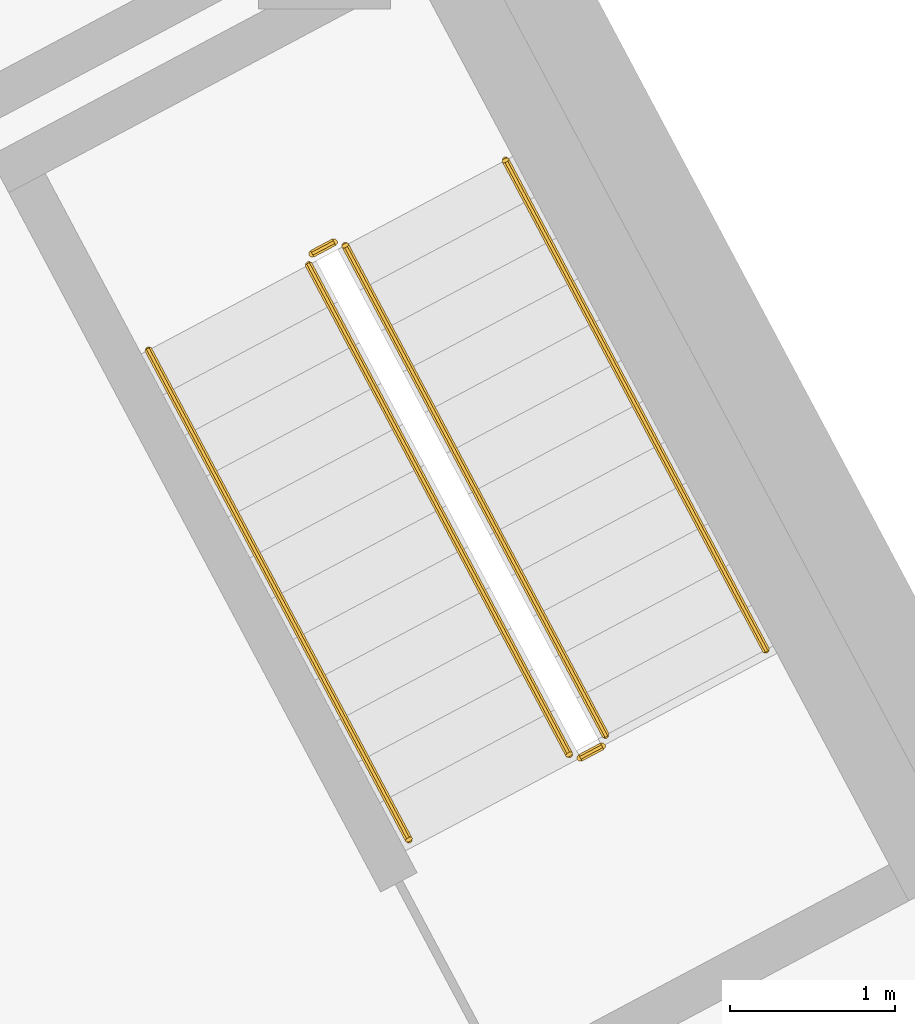
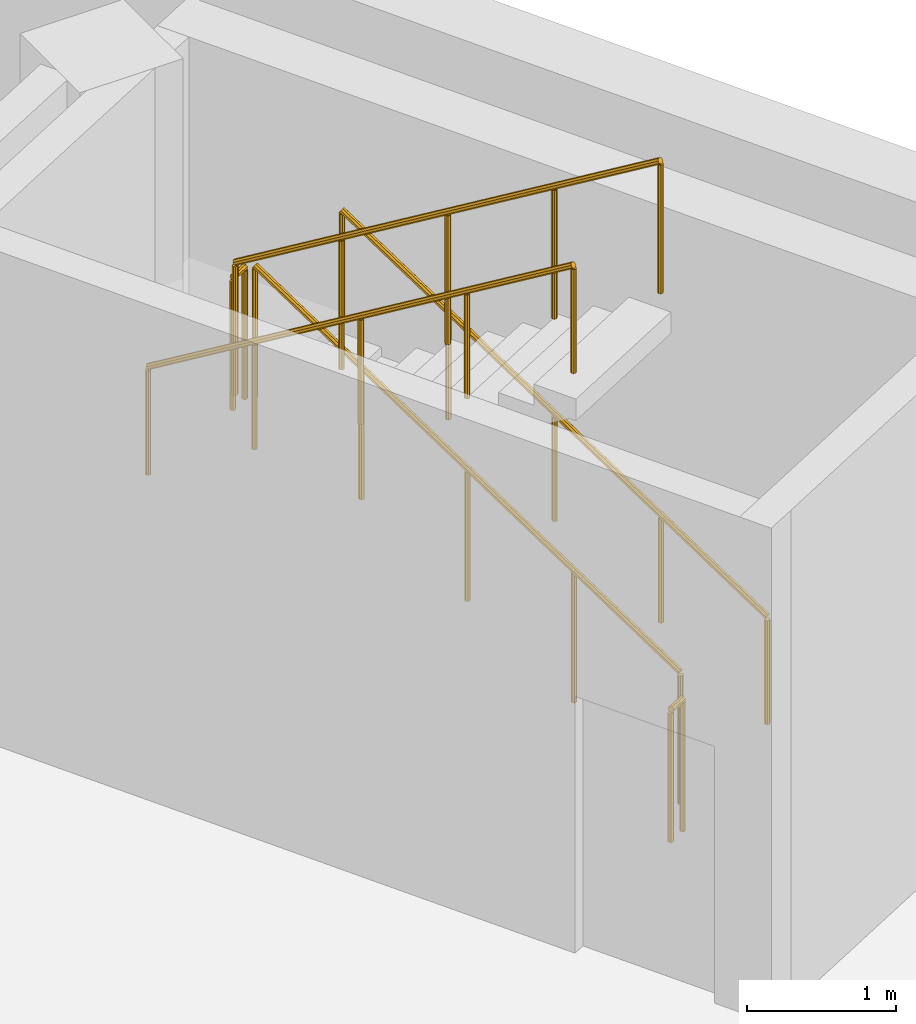
# One storey, part 27 of 27: 6 railings.
"""IFC4 building model written with IfcOpenShell, lengths in metres."""

from ifc_helpers import new_model, si_unit, direction, frame, origin, place, context, subcontext, project, spatial, polyline, outline, extrude, material, type_object, element, save


model = new_model("IFC4")

# Units and contexts
model_context = context("Model", 3, precision=1e-05, world=origin(), true_north=direction((0.0, 1.0)))
body_context = subcontext(model_context, "Body", "Model", "MODEL_VIEW")
ifc_project = project(units=[si_unit("LENGTHUNIT", "METRE"), si_unit("AREAUNIT", "SQUARE_METRE"), si_unit("VOLUMEUNIT", "CUBIC_METRE"), si_unit("PLANEANGLEUNIT", "RADIAN"), si_unit("MASSUNIT", "GRAM", prefix="KILO")], contexts=[model_context])

# Site, building, storey
site_placement = place(None, origin())
site = spatial("IfcSite", under=ifc_project, at=site_placement, CompositionType="ELEMENT")
building_placement = place(site_placement, origin())
building = spatial("IfcBuilding", under=site, at=building_placement, Name="Cormorant Relay Tower", CompositionType="ELEMENT")
storey_placement = place(building_placement, frame((0.0, 0.0, -4.5)))
storey = spatial("IfcBuildingStorey", under=building, at=storey_placement, Name="B1", CompositionType="ELEMENT", Elevation=-4.5)

# Railings
ifc_material_1 = material(Name="Steel ASTM A572 Grade 50 (Fy 345 MPa)", Category="steel")
railing_type_1 = type_object("IfcRailingType", Name="Podium stair guard 1100", PredefinedType="GUARDRAIL", material=ifc_material_1)
railing_1_placement = place(storey_placement, frame((71.6220703125, 40.921630859375, 0.173095703125)))
element("IfcRailing", 1, at=railing_1_placement, inside=storey, type_object=railing_type_1, Name="B1 X2 stair guard 1", PredefinedType="GUARDRAIL", context=body_context, shape_type="SweptSolid", body=[
    extrude(outline(polyline([(0.022216796875, 0.00927734375), (0.00927734375, 0.022216796875), (-0.00927734375, 0.022216796875), (-0.022216796875, 0.00927734375), (-0.022216796875, -0.00927734375), (-0.00927734375, -0.022216796875), (0.00927734375, -0.022216796875), (0.022216796875, -0.00927734375), (0.022216796875, 0.00927734375)])), frame((0.0, 0.0, 1.076171875), z_axis=(-0.399344577991, 0.75103481925, 0.525804724497), x_axis=(-0.88294160794, -0.469482818608, 0.0)), (0.0, 0.0, 1.0), 3.949951171875),
    extrude(outline(polyline([(0.019287109375, 0.008056640625), (0.008056640625, 0.019287109375), (-0.008056640625, 0.019287109375), (-0.019287109375, 0.008056640625), (-0.019287109375, -0.008056640625), (-0.008056640625, -0.019287109375), (0.008056640625, -0.019287109375), (0.019287109375, -0.008056640625), (0.019287109375, 0.008056640625)])), origin(), (0.0, 0.0, 1.0), 1.052001953125),
    extrude(outline(polyline([(0.019287109375, 0.008056640625), (0.008056640625, 0.019287109375), (-0.008056640625, 0.019287109375), (-0.019287109375, 0.008056640625), (-0.019287109375, -0.008056640625), (-0.008056640625, -0.019287109375), (0.008056640625, -0.019287109375), (0.019287109375, -0.008056640625), (0.019287109375, 0.008056640625)])), frame((-0.394287109375, 0.74169921875, 0.519287109375)), (0.0, 0.0, 1.0), 1.052001953125),
    extrude(outline(polyline([(0.019287109375, 0.008056640625), (0.008056640625, 0.019287109375), (-0.008056640625, 0.019287109375), (-0.019287109375, 0.008056640625), (-0.019287109375, -0.008056640625), (-0.008056640625, -0.019287109375), (0.008056640625, -0.019287109375), (0.019287109375, -0.008056640625), (0.019287109375, 0.008056640625)])), frame((-0.78857421875, 1.4833984375, 1.03857421875)), (0.0, 0.0, 1.0), 1.052001953125),
    extrude(outline(polyline([(0.019287109375, 0.008056640625), (0.008056640625, 0.019287109375), (-0.008056640625, 0.019287109375), (-0.019287109375, 0.008056640625), (-0.019287109375, -0.008056640625), (-0.008056640625, -0.019287109375), (0.008056640625, -0.019287109375), (0.019287109375, -0.008056640625), (0.019287109375, 0.008056640625)])), frame((-1.18310546875, 2.224853515625, 1.5576171875)), (0.0, 0.0, 1.0), 1.052001953125),
    extrude(outline(polyline([(0.019287109375, 0.008056640625), (0.008056640625, 0.019287109375), (-0.008056640625, 0.019287109375), (-0.019287109375, 0.008056640625), (-0.019287109375, -0.008056640625), (-0.008056640625, -0.019287109375), (0.008056640625, -0.019287109375), (0.019287109375, -0.008056640625), (0.019287109375, 0.008056640625)])), frame((-1.577392578125, 2.966552734375, 2.076904296875)), (0.0, 0.0, 1.0), 1.052001953125),
])
railing_2_placement = place(storey_placement, frame((69.97705078125, 43.908935546875, 2.25)))
element("IfcRailing", 2, at=railing_2_placement, inside=storey, type_object=railing_type_1, Name="B1 X2 stair guard 2", PredefinedType="GUARDRAIL", context=body_context, shape_type="SweptSolid", body=[
    extrude(outline(polyline([(0.022216796875, 0.00927734375), (0.00927734375, 0.022216796875), (-0.00927734375, 0.022216796875), (-0.022216796875, 0.00927734375), (-0.022216796875, -0.00927734375), (-0.00927734375, -0.022216796875), (0.00927734375, -0.022216796875), (0.022216796875, -0.00927734375), (0.022216796875, 0.00927734375)])), frame((0.0, 0.0, 1.076171875), z_axis=(-0.882757634224, -0.469828648786, 0.0), x_axis=(0.469828648786, -0.882757634224, 0.0)), (0.0, 0.0, 1.0), 0.150146484375),
    extrude(outline(polyline([(0.019287109375, 0.008056640625), (0.008056640625, 0.019287109375), (-0.008056640625, 0.019287109375), (-0.019287109375, 0.008056640625), (-0.019287109375, -0.008056640625), (-0.008056640625, -0.019287109375), (0.008056640625, -0.019287109375), (0.019287109375, -0.008056640625), (0.019287109375, 0.008056640625)])), origin(), (0.0, 0.0, 1.0), 1.052001953125),
    extrude(outline(polyline([(0.019287109375, 0.008056640625), (0.008056640625, 0.019287109375), (-0.008056640625, 0.019287109375), (-0.019287109375, 0.008056640625), (-0.019287109375, -0.008056640625), (-0.008056640625, -0.019287109375), (0.008056640625, -0.019287109375), (0.019287109375, -0.008056640625), (0.019287109375, 0.008056640625)])), frame((-0.132568359375, -0.070556640625, 0.0)), (0.0, 0.0, 1.0), 1.052001953125),
])
railing_3_placement = place(storey_placement, frame((69.823974609375, 43.770751953125, 2.423095703125)))
element("IfcRailing", 3, at=railing_3_placement, inside=storey, type_object=railing_type_1, Name="B1 X2 stair guard 3", PredefinedType="GUARDRAIL", context=body_context, shape_type="SweptSolid", body=[
    extrude(outline(polyline([(0.022216796875, 0.00927734375), (0.00927734375, 0.022216796875), (-0.00927734375, 0.022216796875), (-0.022216796875, 0.00927734375), (-0.022216796875, -0.00927734375), (-0.00927734375, -0.022216796875), (0.00927734375, -0.022216796875), (0.022216796875, -0.00927734375), (0.022216796875, 0.00927734375)])), frame((0.0, 0.0, 1.076171875), z_axis=(0.399344577991, -0.75103481925, 0.525804724497), x_axis=(0.88294160794, 0.469482818608, 0.0)), (0.0, 0.0, 1.0), 3.949951171875),
    extrude(outline(polyline([(0.019287109375, 0.008056640625), (0.008056640625, 0.019287109375), (-0.008056640625, 0.019287109375), (-0.019287109375, 0.008056640625), (-0.019287109375, -0.008056640625), (-0.008056640625, -0.019287109375), (0.008056640625, -0.019287109375), (0.019287109375, -0.008056640625), (0.019287109375, 0.008056640625)])), origin(), (0.0, 0.0, 1.0), 1.052001953125),
    extrude(outline(polyline([(0.019287109375, 0.008056640625), (0.008056640625, 0.019287109375), (-0.008056640625, 0.019287109375), (-0.019287109375, 0.008056640625), (-0.019287109375, -0.008056640625), (-0.008056640625, -0.019287109375), (0.008056640625, -0.019287109375), (0.019287109375, -0.008056640625), (0.019287109375, 0.008056640625)])), frame((0.394287109375, -0.74169921875, 0.519287109375)), (0.0, 0.0, 1.0), 1.052001953125),
    extrude(outline(polyline([(0.019287109375, 0.008056640625), (0.008056640625, 0.019287109375), (-0.008056640625, 0.019287109375), (-0.019287109375, 0.008056640625), (-0.019287109375, -0.008056640625), (-0.008056640625, -0.019287109375), (0.008056640625, -0.019287109375), (0.019287109375, -0.008056640625), (0.019287109375, 0.008056640625)])), frame((0.78857421875, -1.4833984375, 1.03857421875)), (0.0, 0.0, 1.0), 1.052001953125),
    extrude(outline(polyline([(0.019287109375, 0.008056640625), (0.008056640625, 0.019287109375), (-0.008056640625, 0.019287109375), (-0.019287109375, 0.008056640625), (-0.019287109375, -0.008056640625), (-0.008056640625, -0.019287109375), (0.008056640625, -0.019287109375), (0.019287109375, -0.008056640625), (0.019287109375, 0.008056640625)])), frame((1.18310546875, -2.224853515625, 1.5576171875)), (0.0, 0.0, 1.0), 1.052001953125),
    extrude(outline(polyline([(0.019287109375, 0.008056640625), (0.008056640625, 0.019287109375), (-0.008056640625, 0.019287109375), (-0.019287109375, 0.008056640625), (-0.019287109375, -0.008056640625), (-0.008056640625, -0.019287109375), (0.008056640625, -0.019287109375), (0.019287109375, -0.008056640625), (0.019287109375, 0.008056640625)])), frame((1.577392578125, -2.966552734375, 2.076904296875)), (0.0, 0.0, 1.0), 1.052001953125),
])
railing_4_placement = place(storey_placement, frame((71.601318359375, 40.85400390625, 0.0)))
element("IfcRailing", 4, at=railing_4_placement, inside=storey, type_object=railing_type_1, Name="B1 X2 stair guard 4", PredefinedType="GUARDRAIL", context=body_context, shape_type="SweptSolid", body=[
    extrude(outline(polyline([(0.022216796875, 0.00927734375), (0.00927734375, 0.022216796875), (-0.00927734375, 0.022216796875), (-0.022216796875, 0.00927734375), (-0.022216796875, -0.00927734375), (-0.00927734375, -0.022216796875), (0.00927734375, -0.022216796875), (0.022216796875, -0.00927734375), (0.022216796875, 0.00927734375)])), frame((0.0, 0.0, 1.076171875), z_axis=(-0.882398003998, -0.470503732759, 0.0), x_axis=(0.470503732759, -0.882398003998, 0.0)), (0.0, 0.0, 1.0), 0.14990234375),
    extrude(outline(polyline([(0.019287109375, 0.008056640625), (0.008056640625, 0.019287109375), (-0.008056640625, 0.019287109375), (-0.019287109375, 0.008056640625), (-0.019287109375, -0.008056640625), (-0.008056640625, -0.019287109375), (0.008056640625, -0.019287109375), (0.019287109375, -0.008056640625), (0.019287109375, 0.008056640625)])), origin(), (0.0, 0.0, 1.0), 1.052001953125),
    extrude(outline(polyline([(0.019287109375, 0.008056640625), (0.008056640625, 0.019287109375), (-0.008056640625, 0.019287109375), (-0.019287109375, 0.008056640625), (-0.019287109375, -0.008056640625), (-0.008056640625, -0.019287109375), (0.008056640625, -0.019287109375), (0.019287109375, -0.008056640625), (0.019287109375, 0.008056640625)])), frame((-0.13232421875, -0.070556640625, 0.0)), (0.0, 0.0, 1.0), 1.052001953125),
])
ifc_material_2 = material(Name="Stainless steel 316", Category="steel")
railing_type_2 = type_object("IfcRailingType", Name="Podium stair handrail 900", PredefinedType="HANDRAIL", material=ifc_material_2)
railing_5_placement = place(storey_placement, frame((72.59326171875, 41.43798828125, 0.173095703125)))
element("IfcRailing", 5, at=railing_5_placement, inside=storey, type_object=railing_type_2, Name="B1 X2 stair handrail 1", PredefinedType="HANDRAIL", context=body_context, shape_type="SweptSolid", body=[
    extrude(outline(polyline([(0.022216796875, 0.00927734375), (0.00927734375, 0.022216796875), (-0.00927734375, 0.022216796875), (-0.022216796875, 0.00927734375), (-0.022216796875, -0.00927734375), (-0.00927734375, -0.022216796875), (0.00927734375, -0.022216796875), (0.022216796875, -0.00927734375), (0.022216796875, 0.00927734375)])), frame((0.0, 0.0, 0.8759765625), z_axis=(-0.399344577991, 0.75103481925, 0.525804724497), x_axis=(-0.88294160794, -0.469482818608, 0.0)), (0.0, 0.0, 1.0), 3.949951171875),
    extrude(outline(polyline([(0.019287109375, 0.008056640625), (0.008056640625, 0.019287109375), (-0.008056640625, 0.019287109375), (-0.019287109375, 0.008056640625), (-0.019287109375, -0.008056640625), (-0.008056640625, -0.019287109375), (0.008056640625, -0.019287109375), (0.019287109375, -0.008056640625), (0.019287109375, 0.008056640625)])), origin(), (0.0, 0.0, 1.0), 0.851806640625),
    extrude(outline(polyline([(0.019287109375, 0.008056640625), (0.008056640625, 0.019287109375), (-0.008056640625, 0.019287109375), (-0.019287109375, 0.008056640625), (-0.019287109375, -0.008056640625), (-0.008056640625, -0.019287109375), (0.008056640625, -0.019287109375), (0.019287109375, -0.008056640625), (0.019287109375, 0.008056640625)])), frame((-0.394287109375, 0.74169921875, 0.519287109375)), (0.0, 0.0, 1.0), 0.851806640625),
    extrude(outline(polyline([(0.019287109375, 0.008056640625), (0.008056640625, 0.019287109375), (-0.008056640625, 0.019287109375), (-0.019287109375, 0.008056640625), (-0.019287109375, -0.008056640625), (-0.008056640625, -0.019287109375), (0.008056640625, -0.019287109375), (0.019287109375, -0.008056640625), (0.019287109375, 0.008056640625)])), frame((-0.78857421875, 1.4833984375, 1.03857421875)), (0.0, 0.0, 1.0), 0.851806640625),
    extrude(outline(polyline([(0.019287109375, 0.008056640625), (0.008056640625, 0.019287109375), (-0.008056640625, 0.019287109375), (-0.019287109375, 0.008056640625), (-0.019287109375, -0.008056640625), (-0.008056640625, -0.019287109375), (0.008056640625, -0.019287109375), (0.019287109375, -0.008056640625), (0.019287109375, 0.008056640625)])), frame((-1.18310546875, 2.224853515625, 1.5576171875)), (0.0, 0.0, 1.0), 0.851806640625),
    extrude(outline(polyline([(0.019287109375, 0.008056640625), (0.008056640625, 0.019287109375), (-0.008056640625, 0.019287109375), (-0.019287109375, 0.008056640625), (-0.019287109375, -0.008056640625), (-0.008056640625, -0.019287109375), (0.008056640625, -0.019287109375), (0.019287109375, -0.008056640625), (0.019287109375, 0.008056640625)])), frame((-1.577392578125, 2.966552734375, 2.076904296875)), (0.0, 0.0, 1.0), 0.851806640625),
])
railing_6_placement = place(storey_placement, frame((68.8525390625, 43.25439453125, 2.423095703125)))
element("IfcRailing", 6, at=railing_6_placement, inside=storey, type_object=railing_type_2, Name="B1 X2 stair handrail 2", PredefinedType="HANDRAIL", context=body_context, shape_type="SweptSolid", body=[
    extrude(outline(polyline([(0.022216796875, 0.00927734375), (0.00927734375, 0.022216796875), (-0.00927734375, 0.022216796875), (-0.022216796875, 0.00927734375), (-0.022216796875, -0.00927734375), (-0.00927734375, -0.022216796875), (0.00927734375, -0.022216796875), (0.022216796875, -0.00927734375), (0.022216796875, 0.00927734375)])), frame((0.0, 0.0, 0.8759765625), z_axis=(0.399396527572, -0.751016280799, 0.525791745598), x_axis=(0.882911485994, 0.469539463624, 0.0)), (0.0, 0.0, 1.0), 3.949951171875),
    extrude(outline(polyline([(0.019287109375, 0.008056640625), (0.008056640625, 0.019287109375), (-0.008056640625, 0.019287109375), (-0.019287109375, 0.008056640625), (-0.019287109375, -0.008056640625), (-0.008056640625, -0.019287109375), (0.008056640625, -0.019287109375), (0.019287109375, -0.008056640625), (0.019287109375, 0.008056640625)])), origin(), (0.0, 0.0, 1.0), 0.851806640625),
    extrude(outline(polyline([(0.019287109375, 0.008056640625), (0.008056640625, 0.019287109375), (-0.008056640625, 0.019287109375), (-0.019287109375, 0.008056640625), (-0.019287109375, -0.008056640625), (-0.008056640625, -0.019287109375), (0.008056640625, -0.019287109375), (0.019287109375, -0.008056640625), (0.019287109375, 0.008056640625)])), frame((0.39453125, -0.74169921875, 0.519287109375)), (0.0, 0.0, 1.0), 0.851806640625),
    extrude(outline(polyline([(0.019287109375, 0.008056640625), (0.008056640625, 0.019287109375), (-0.008056640625, 0.019287109375), (-0.019287109375, 0.008056640625), (-0.019287109375, -0.008056640625), (-0.008056640625, -0.019287109375), (0.008056640625, -0.019287109375), (0.019287109375, -0.008056640625), (0.019287109375, 0.008056640625)])), frame((0.788818359375, -1.4833984375, 1.03857421875)), (0.0, 0.0, 1.0), 0.851806640625),
    extrude(outline(polyline([(0.019287109375, 0.008056640625), (0.008056640625, 0.019287109375), (-0.008056640625, 0.019287109375), (-0.019287109375, 0.008056640625), (-0.019287109375, -0.008056640625), (-0.008056640625, -0.019287109375), (0.008056640625, -0.019287109375), (0.019287109375, -0.008056640625), (0.019287109375, 0.008056640625)])), frame((1.18310546875, -2.224853515625, 1.5576171875)), (0.0, 0.0, 1.0), 0.851806640625),
    extrude(outline(polyline([(0.019287109375, 0.008056640625), (0.008056640625, 0.019287109375), (-0.008056640625, 0.019287109375), (-0.019287109375, 0.008056640625), (-0.019287109375, -0.008056640625), (-0.008056640625, -0.019287109375), (0.008056640625, -0.019287109375), (0.019287109375, -0.008056640625), (0.019287109375, 0.008056640625)])), frame((1.57763671875, -2.966552734375, 2.076904296875)), (0.0, 0.0, 1.0), 0.851806640625),
])

save(model, "model.ifc")
